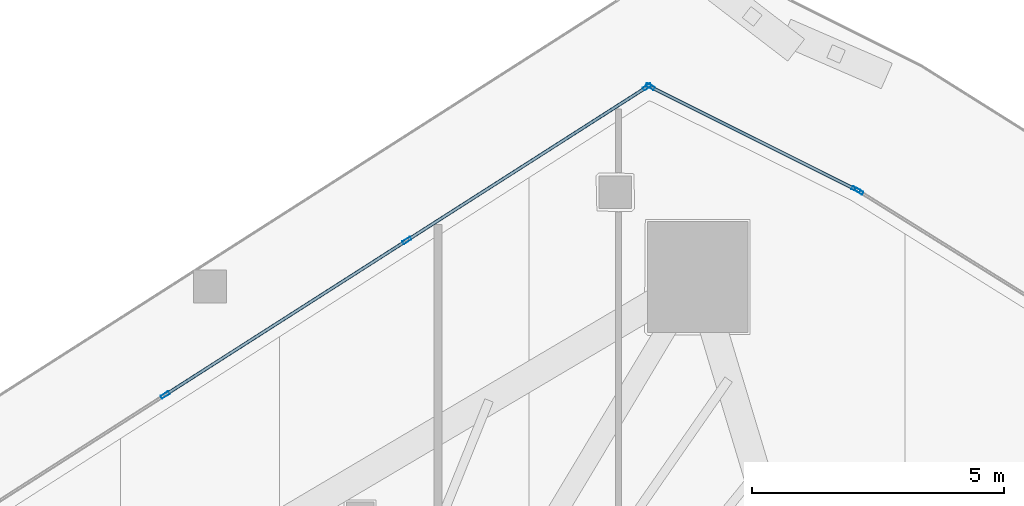
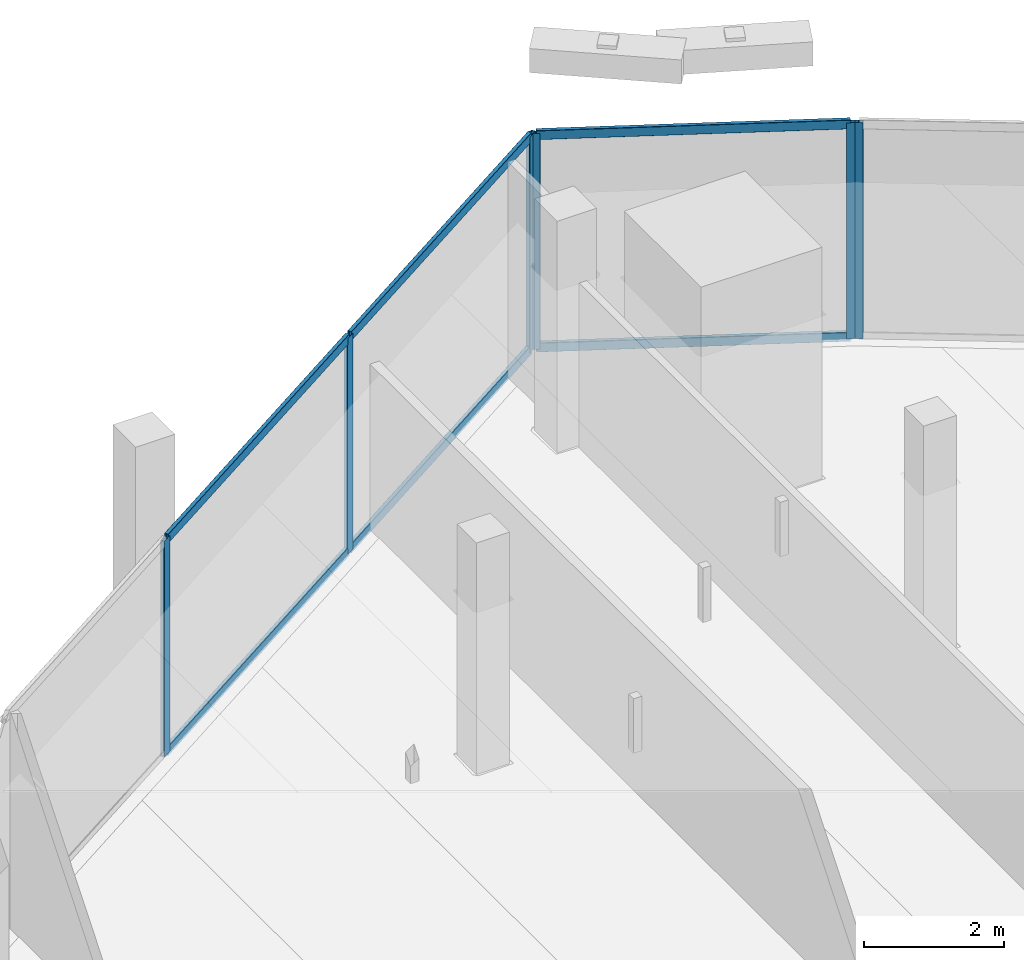
# One storey, part 20 of 35: 12 members, 3 elements without a shape of their own.
"""IFC4 building model written with IfcOpenShell, lengths in metres."""

from ifc_helpers import new_model, si_unit, direction, frame, origin, origin_2d, place, context, subcontext, project, spatial, hollow_rectangle, extrude, material, layer, layer_set, material_profile, profile_set, type_object, element, aggregate, save


model = new_model("IFC4")

# Units and contexts
model_context = context("Model", 3, precision=1e-05, world=origin(), true_north=direction((0.0, 1.0)))
body_context = subcontext(model_context, "Body", "Model", "MODEL_VIEW")
ifc_project = project(units=[si_unit("LENGTHUNIT", "METRE"), si_unit("AREAUNIT", "SQUARE_METRE"), si_unit("VOLUMEUNIT", "CUBIC_METRE"), si_unit("PLANEANGLEUNIT", "RADIAN"), si_unit("MASSUNIT", "GRAM", prefix="KILO")], contexts=[model_context])

# Site, building, storey
site_placement = place(None, origin())
site = spatial("IfcSite", under=ifc_project, at=site_placement, CompositionType="ELEMENT")
building_placement = place(site_placement, origin())
building = spatial("IfcBuilding", under=site, at=building_placement, Name="Qorvath Tower", CompositionType="ELEMENT")
storey_placement = place(building_placement, frame((0.0, 0.0, 166.5)))
storey = spatial("IfcBuildingStorey", under=building, at=storey_placement, Name="L38", CompositionType="ELEMENT", Elevation=166.5)

# Curtain wall, member
ifc_material_1 = material(Name="Anodised aluminium and triple low-E glass", Category="aluminium")
ifc_layer = layer(ifc_material_1, 0.179931640625)
ifc_layer_set = layer_set([ifc_layer], Name="CW-SYS-3")
curtain_wall_type = type_object("IfcCurtainWallType", Name="CW-SYS-3", PredefinedType="NOTDEFINED", material=ifc_layer_set)
curtain_wall_1_placement = place(storey_placement, origin())
curtain_wall_1 = element("IfcCurtainWall", 1, at=curtain_wall_1_placement, inside=storey, type_object=curtain_wall_type, Name="Curtain Wall CW-3 CW-T-L38-14.1", PredefinedType="NOTDEFINED")
ifc_material_2 = material(Name="Anodised aluminium 6063-T6", Category="aluminium")
ifc_material_profile_1 = material_profile(ifc_material_2, hollow_rectangle(XDim=0.06494140625, YDim=0.179931640625, WallThickness=0.00341796875, InnerFilletRadius=0.00341796875, OuterFilletRadius=0.007080078125, at=origin_2d()), Name="CWM 180x65")
ifc_profile_set_1 = profile_set([ifc_material_profile_1], Name="Anodised aluminium 6063-T6")
member_type_1 = type_object("IfcMemberType", Name="CWM-180", PredefinedType="MULLION", material=ifc_profile_set_1)
member_1_placement = place(storey_placement, frame((-12.14208984375, 26.951904296875, 0.0), z_axis=(0.0, 0.0, 1.0), x_axis=(-0.529328282744, -0.848417096178, 0.0)))
member_1 = element("IfcMember", 2, at=member_1_placement, type_object=member_type_1, Name="CW-3 mullion 3", PredefinedType="MULLION", context=body_context, shape_type="SweptSolid", body=[
    extrude(hollow_rectangle(XDim=0.06494140625, YDim=0.179931640625, WallThickness=0.00341796875, InnerFilletRadius=0.00341796875, OuterFilletRadius=0.007080078125, at=origin_2d()), origin(), (0.0, 0.0, 1.0), 3.780029296875),
])
aggregate(curtain_wall_1, [member_1])

# Curtain wall, members
curtain_wall_2_placement = place(storey_placement, origin())
curtain_wall_2 = element("IfcCurtainWall", 3, at=curtain_wall_2_placement, inside=storey, type_object=curtain_wall_type, Name="Curtain Wall CW-3 CW-T-L38-15.1", PredefinedType="NOTDEFINED")
member_2_placement = place(storey_placement, frame((-12.19873046875, 26.983642578125, 0.0), z_axis=(0.0, 0.0, 1.0), x_axis=(-0.447222218703, -0.894422879346, 0.0)))
member_2 = element("IfcMember", 4, at=member_2_placement, type_object=member_type_1, Name="CW-3 mullion 1", PredefinedType="MULLION", context=body_context, shape_type="SweptSolid", body=[
    extrude(hollow_rectangle(XDim=0.06494140625, YDim=0.179931640625, WallThickness=0.00341796875, InnerFilletRadius=0.00341796875, OuterFilletRadius=0.007080078125, at=origin_2d()), origin(), (0.0, 0.0, 1.0), 3.780029296875),
])
member_3_placement = place(storey_placement, frame((-16.28955078125, 29.029052734375, 0.0), z_axis=(0.0, 0.0, 1.0), x_axis=(-0.447222218703, -0.894422879346, 0.0)))
member_3 = element("IfcMember", 5, at=member_3_placement, type_object=member_type_1, Name="CW-3 mullion 2", PredefinedType="MULLION", context=body_context, shape_type="SweptSolid", body=[
    extrude(hollow_rectangle(XDim=0.06494140625, YDim=0.179931640625, WallThickness=0.00341796875, InnerFilletRadius=0.00341796875, OuterFilletRadius=0.007080078125, at=origin_2d()), origin(), (0.0, 0.0, 1.0), 3.780029296875),
])

curtain_wall_3_placement = place(storey_placement, origin())
curtain_wall_3 = element("IfcCurtainWall", 6, at=curtain_wall_3_placement, inside=storey, type_object=curtain_wall_type, Name="Curtain Wall CW-3 CW-T-L38-16.1", PredefinedType="NOTDEFINED")
member_4_placement = place(storey_placement, frame((-16.345947265625, 29.026123046875, 0.0), z_axis=(0.0, 0.0, 1.0), x_axis=(0.53853443311, -0.842603503645, 0.0)))
member_4 = element("IfcMember", 7, at=member_4_placement, type_object=member_type_1, Name="CW-3 mullion 1", PredefinedType="MULLION", context=body_context, shape_type="SweptSolid", body=[
    extrude(hollow_rectangle(XDim=0.06494140625, YDim=0.179931640625, WallThickness=0.00341796875, InnerFilletRadius=0.00341796875, OuterFilletRadius=0.007080078125, at=origin_2d()), origin(), (0.0, 0.0, 1.0), 3.780029296875),
])
member_5_placement = place(storey_placement, frame((-21.123779296875, 25.97265625, 0.0), z_axis=(0.0, 0.0, 1.0), x_axis=(0.53853443311, -0.842603503645, 0.0)))
member_5 = element("IfcMember", 8, at=member_5_placement, type_object=member_type_1, Name="CW-3 mullion 2", PredefinedType="MULLION", context=body_context, shape_type="SweptSolid", body=[
    extrude(hollow_rectangle(XDim=0.06494140625, YDim=0.179931640625, WallThickness=0.00341796875, InnerFilletRadius=0.00341796875, OuterFilletRadius=0.007080078125, at=origin_2d()), origin(), (0.0, 0.0, 1.0), 3.780029296875),
])
member_6_placement = place(storey_placement, frame((-25.928955078125, 22.9013671875, 0.0), z_axis=(0.0, 0.0, 1.0), x_axis=(0.53853443311, -0.842603503645, 0.0)))
member_6 = element("IfcMember", 9, at=member_6_placement, type_object=member_type_1, Name="CW-3 mullion 3", PredefinedType="MULLION", context=body_context, shape_type="SweptSolid", body=[
    extrude(hollow_rectangle(XDim=0.06494140625, YDim=0.179931640625, WallThickness=0.00341796875, InnerFilletRadius=0.00341796875, OuterFilletRadius=0.007080078125, at=origin_2d()), origin(), (0.0, 0.0, 1.0), 3.780029296875),
])

# Member
ifc_material_3 = material(Name="Anodised aluminium 6063-T6", Category="aluminium")
ifc_material_profile_2 = material_profile(ifc_material_3, hollow_rectangle(XDim=0.06494140625, YDim=0.159912109375, WallThickness=0.00341796875, InnerFilletRadius=0.00341796875, OuterFilletRadius=0.007080078125, at=origin_2d()), Name="CWT 160x65")
ifc_profile_set_2 = profile_set([ifc_material_profile_2], Name="Anodised aluminium 6063-T6")
member_type_2 = type_object("IfcMemberType", Name="CWT-160", PredefinedType="USERDEFINED", material=ifc_profile_set_2)
member_7_placement = place(storey_placement, frame((-12.227783203125, 26.998291015625, 0.032470703125), z_axis=(-0.894427191, 0.4472135955, 0.0), x_axis=(-0.4472135955, -0.894427191, 0.0)))
member_7 = element("IfcMember", 10, at=member_7_placement, type_object=member_type_2, Name="CW-3 transom 1.1", ObjectType="TRANSOM", PredefinedType="USERDEFINED", context=body_context, shape_type="SweptSolid", body=[
    extrude(hollow_rectangle(XDim=0.06494140625, YDim=0.159912109375, WallThickness=0.00341796875, InnerFilletRadius=0.00341796875, OuterFilletRadius=0.007080078125, at=origin_2d()), origin(), (0.0, 0.0, 1.0), 4.5087890625),
])

member_8_placement = place(storey_placement, frame((-12.227783203125, 26.998291015625, 3.74755859375), z_axis=(-0.894427191, 0.4472135955, 0.0), x_axis=(-0.4472135955, -0.894427191, 0.0)))
member_8 = element("IfcMember", 11, at=member_8_placement, type_object=member_type_2, Name="CW-3 transom 1.2", ObjectType="TRANSOM", PredefinedType="USERDEFINED", context=body_context, shape_type="SweptSolid", body=[
    extrude(hollow_rectangle(XDim=0.06494140625, YDim=0.159912109375, WallThickness=0.00341796875, InnerFilletRadius=0.00341796875, OuterFilletRadius=0.007080078125, at=origin_2d()), origin(), (0.0, 0.0, 1.0), 4.5087890625),
])

aggregate(curtain_wall_2, [member_2, member_3, member_7, member_8])

member_9_placement = place(storey_placement, frame((-16.373291015625, 29.0087890625, 0.032470703125), z_axis=(-0.842596345477, -0.538545632783, 0.0), x_axis=(0.538545632783, -0.842596345477, 0.0)))
member_9 = element("IfcMember", 12, at=member_9_placement, type_object=member_type_2, Name="CW-3 transom 1.1", ObjectType="TRANSOM", PredefinedType="USERDEFINED", context=body_context, shape_type="SweptSolid", body=[
    extrude(hollow_rectangle(XDim=0.06494140625, YDim=0.159912109375, WallThickness=0.00341796875, InnerFilletRadius=0.00341796875, OuterFilletRadius=0.007080078125, at=origin_2d()), origin(), (0.0, 0.0, 1.0), 5.60546875),
])

member_10_placement = place(storey_placement, frame((-16.373291015625, 29.0087890625, 3.74755859375), z_axis=(-0.842596345477, -0.538545632783, 0.0), x_axis=(0.538545632783, -0.842596345477, 0.0)))
member_10 = element("IfcMember", 13, at=member_10_placement, type_object=member_type_2, Name="CW-3 transom 1.2", ObjectType="TRANSOM", PredefinedType="USERDEFINED", context=body_context, shape_type="SweptSolid", body=[
    extrude(hollow_rectangle(XDim=0.06494140625, YDim=0.159912109375, WallThickness=0.00341796875, InnerFilletRadius=0.00341796875, OuterFilletRadius=0.007080078125, at=origin_2d()), origin(), (0.0, 0.0, 1.0), 5.60546875),
])

member_11_placement = place(storey_placement, frame((-21.151123046875, 25.955078125, 0.032470703125), z_axis=(-0.842607837252, -0.538527652588, 0.0), x_axis=(0.538527652588, -0.842607837252, 0.0)))
member_11 = element("IfcMember", 14, at=member_11_placement, type_object=member_type_2, Name="CW-3 transom 2.1", ObjectType="TRANSOM", PredefinedType="USERDEFINED", context=body_context, shape_type="SweptSolid", body=[
    extrude(hollow_rectangle(XDim=0.06494140625, YDim=0.159912109375, WallThickness=0.00341796875, InnerFilletRadius=0.00341796875, OuterFilletRadius=0.007080078125, at=origin_2d()), origin(), (0.0, 0.0, 1.0), 5.637939453125),
])

member_12_placement = place(storey_placement, frame((-21.151123046875, 25.955078125, 3.74755859375), z_axis=(-0.842607837252, -0.538527652588, 0.0), x_axis=(0.538527652588, -0.842607837252, 0.0)))
member_12 = element("IfcMember", 15, at=member_12_placement, type_object=member_type_2, Name="CW-3 transom 2.2", ObjectType="TRANSOM", PredefinedType="USERDEFINED", context=body_context, shape_type="SweptSolid", body=[
    extrude(hollow_rectangle(XDim=0.06494140625, YDim=0.159912109375, WallThickness=0.00341796875, InnerFilletRadius=0.00341796875, OuterFilletRadius=0.007080078125, at=origin_2d()), origin(), (0.0, 0.0, 1.0), 5.637939453125),
])

aggregate(curtain_wall_3, [member_4, member_5, member_6, member_9, member_10, member_11, member_12])

save(model, "model.ifc")
